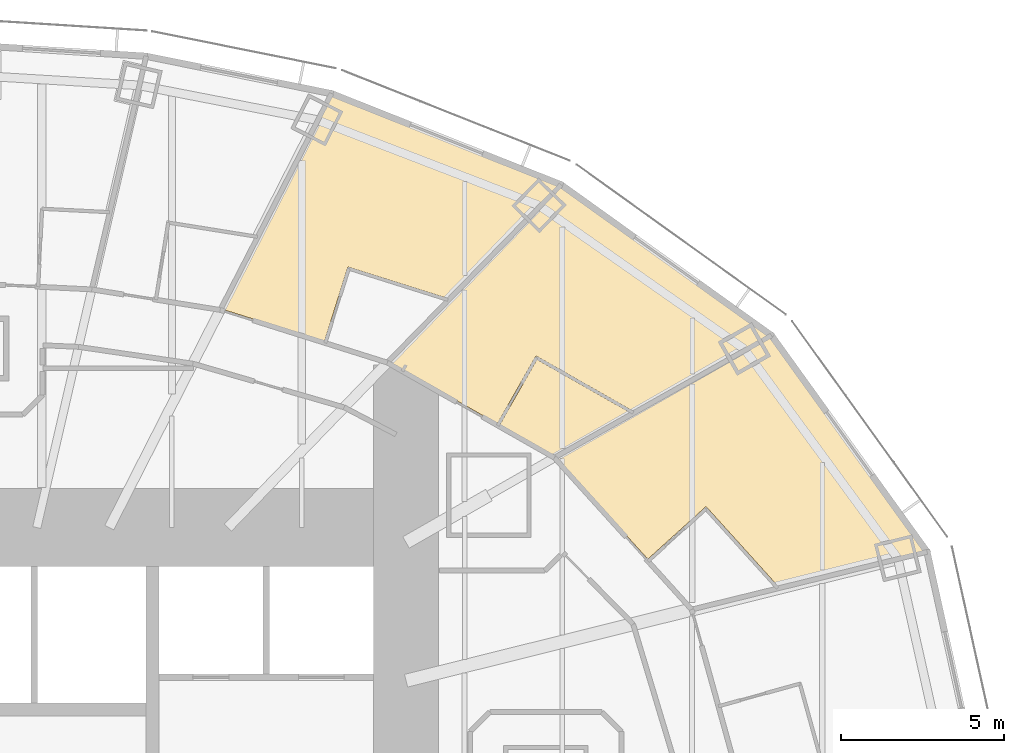
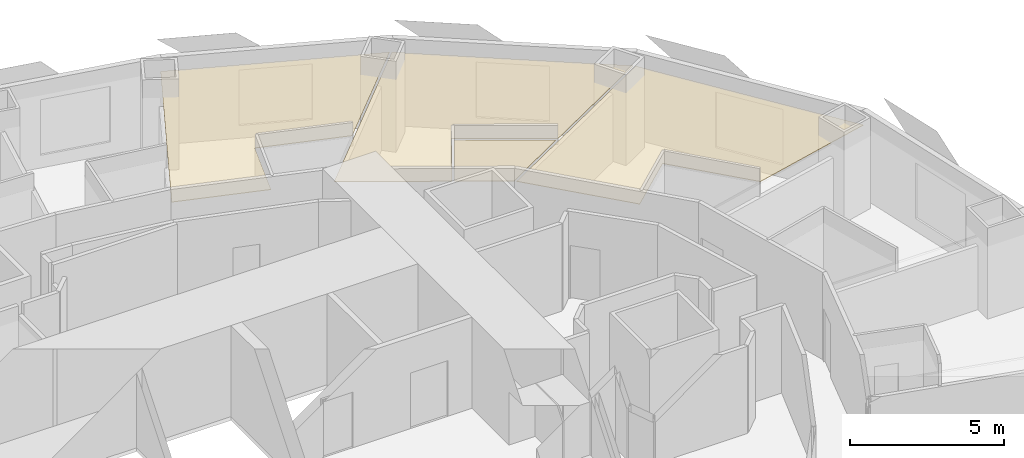
# One storey, part 17 of 17: 4 coverings.
"""IFC4 building model written with IfcOpenShell, lengths in metres."""

from ifc_helpers import new_model, si_unit, direction, frame, origin, place, context, subcontext, project, spatial, polyline, outline, extrude, material, layer, layer_set, type_object, element, save


model = new_model("IFC4")

# Units and contexts
model_context = context("Model", 3, precision=1e-05, world=origin(), true_north=direction((0.0, 1.0)))
body_context = subcontext(model_context, "Body", "Model", "MODEL_VIEW")
ifc_project = project(units=[si_unit("LENGTHUNIT", "METRE"), si_unit("AREAUNIT", "SQUARE_METRE"), si_unit("VOLUMEUNIT", "CUBIC_METRE"), si_unit("PLANEANGLEUNIT", "RADIAN"), si_unit("MASSUNIT", "GRAM", prefix="KILO")], contexts=[model_context])

# Site, building, storey
site_placement = place(None, origin())
site = spatial("IfcSite", under=ifc_project, at=site_placement, CompositionType="ELEMENT")
building_placement = place(site_placement, origin())
building = spatial("IfcBuilding", under=site, at=building_placement, Name="Lantaw Convention Tower", CompositionType="ELEMENT")
storey_placement = place(building_placement, frame((0.0, 0.0, 37.0)))
storey = spatial("IfcBuildingStorey", under=building, at=storey_placement, Name="L06", CompositionType="ELEMENT", Elevation=37.0)

# Coverings
ifc_material = material(Name="Gypsum board on steel suspension grid", Category="steel")
ifc_layer = layer(ifc_material, 0.02001953125)
ifc_layer_set = layer_set([ifc_layer], Name="Suspended ceiling")
covering_type = type_object("IfcCoveringType", Name="Suspended ceiling", PredefinedType="CEILING", material=ifc_layer_set)
covering_1_placement = place(storey_placement, frame((0.0, 0.0, 2.85009765625)))
element("IfcCovering", 1, at=covering_1_placement, inside=storey, type_object=covering_type, Name="Guest room ceiling", PredefinedType="CEILING", context=body_context, shape_type="SweptSolid", body=[
    extrude(outline(polyline([(24.423095703125, 13.8564453125), (17.82470703125, 10.13916015625), (20.635498046875, 7.02978515625), (22.4248046875, 8.647216796875), (24.65771484375, 6.17724609375), (29.155029296875, 7.2783203125), (24.423095703125, 13.8564453125)])), origin(), (0.0, 0.0, 1.0), 0.02001953125),
])
covering_2_placement = place(storey_placement, frame((0.0, 0.0, 2.85009765625)))
element("IfcCovering", 2, at=covering_2_placement, inside=storey, type_object=covering_type, Name="Guest bathroom ceiling", PredefinedType="CEILING", context=body_context, shape_type="SweptSolid", body=[
    extrude(outline(polyline([(17.76123046875, 10.1953125), (20.101806640625, 11.53271484375), (17.2255859375, 13.169921875), (16.077880859375, 11.15380859375), (17.76123046875, 10.1953125)])), origin(), (0.0, 0.0, 1.0), 0.02001953125),
])
covering_3_placement = place(storey_placement, frame((0.0, 0.0, 2.85009765625)))
element("IfcCovering", 3, at=covering_3_placement, inside=storey, type_object=covering_type, Name="Guest room ceiling", PredefinedType="CEILING", context=body_context, shape_type="SweptSolid", body=[
    extrude(outline(polyline([(12.689697265625, 13.08251953125), (16.00830078125, 11.193359375), (17.195556640625, 13.279052734375), (20.19970703125, 11.56884765625), (24.3603515625, 13.912841796875), (17.97509765625, 18.4892578125), (12.689697265625, 13.08251953125)])), origin(), (0.0, 0.0, 1.0), 0.02001953125),
])
covering_4_placement = place(storey_placement, frame((0.0, 0.0, 2.85009765625)))
element("IfcCovering", 4, at=covering_4_placement, inside=storey, type_object=covering_type, Name="Guest room ceiling", PredefinedType="CEILING", context=body_context, shape_type="SweptSolid", body=[
    extrude(outline(polyline([(7.54345703125, 14.71630859375), (10.691162109375, 13.724609375), (11.412353515625, 16.013671875), (14.493896484375, 15.042724609375), (17.89990234375, 18.52685546875), (10.930908203125, 21.294921875), (7.54345703125, 14.71630859375)])), origin(), (0.0, 0.0, 1.0), 0.02001953125),
])

save(model, "model.ifc")
